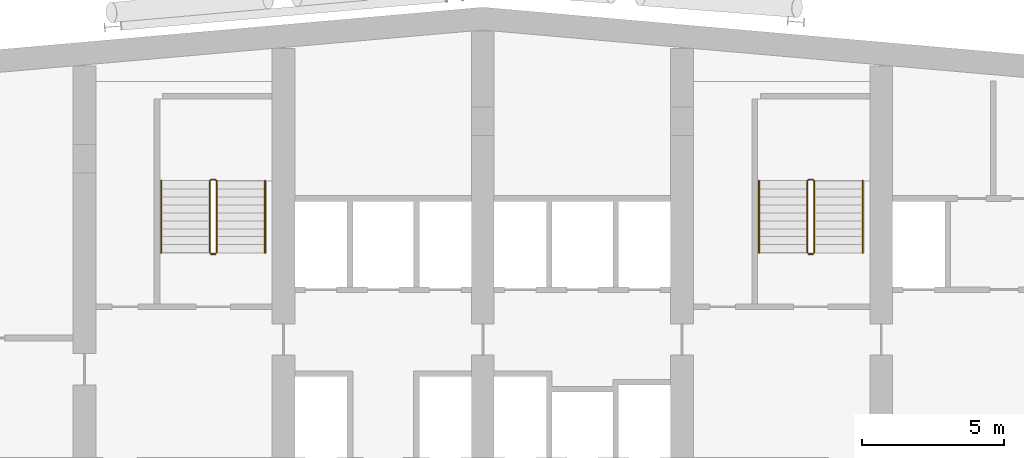
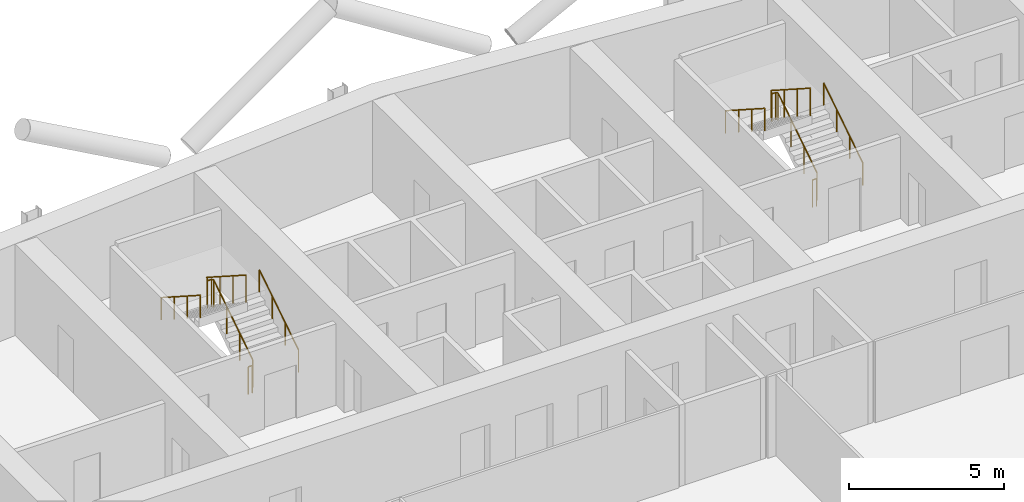
# One storey, part 26 of 26: 8 railings.
"""IFC4 building model written with IfcOpenShell, lengths in metres."""

from ifc_helpers import new_model, si_unit, direction, frame, origin, origin_2d, place, context, subcontext, project, spatial, circle, extrude, material, type_object, element, save


model = new_model("IFC4")

# Units and contexts
model_context = context("Model", 3, precision=1e-05, world=origin(), true_north=direction((0.0, 1.0)))
body_context = subcontext(model_context, "Body", "Model", "MODEL_VIEW")
ifc_project = project(units=[si_unit("LENGTHUNIT", "METRE"), si_unit("AREAUNIT", "SQUARE_METRE"), si_unit("VOLUMEUNIT", "CUBIC_METRE"), si_unit("PLANEANGLEUNIT", "RADIAN"), si_unit("MASSUNIT", "GRAM", prefix="KILO")], contexts=[model_context])

# Site, building, storey
site_placement = place(None, origin())
site = spatial("IfcSite", under=ifc_project, at=site_placement, CompositionType="ELEMENT")
building_placement = place(site_placement, origin())
building = spatial("IfcBuilding", under=site, at=building_placement, Name="Wharfspan Tower", CompositionType="ELEMENT")
storey_placement = place(building_placement, frame((0.0, 0.0, 180.699951)))
storey = spatial("IfcBuildingStorey", under=building, at=storey_placement, Name="L44", CompositionType="ELEMENT", Elevation=180.699951)

# Railings
ifc_material = material(Name="Steel S355J2", Category="steel")
railing_type_1 = type_object("IfcRailingType", Name="Stair guard 1100", PredefinedType="GUARDRAIL", material=ifc_material)
railing_1_placement = place(storey_placement, frame((27.649902, 42.0, 0.179932)))
element("IfcRailing", 1, at=railing_1_placement, inside=storey, type_object=railing_type_1, Name="L44 ST1 stair guard 1", PredefinedType="GUARDRAIL", context=body_context, shape_type="SweptSolid", body=[
    extrude(circle(Radius=0.023926, at=origin_2d()), frame((0.0, 0.0, 1.076172), z_axis=(0.0, 0.841163, 0.540782), x_axis=(-1.0, 0.0, 0.0)), (0.0, 0.0, 1.0), 2.99585),
    extrude(circle(Radius=0.023926, at=origin_2d()), frame((0.0, 2.52002, 2.696289), z_axis=(-0.705376, 0.708834, 0.0), x_axis=(-0.708834, -0.705376, 0.0)), (0.0, 0.0, 1.0), 0.070557),
    extrude(circle(Radius=0.023926, at=origin_2d()), frame((-0.049805, 2.570068, 2.696289), z_axis=(-1.0, 0.0, 0.0), x_axis=(0.0, -1.0, 0.0)), (0.0, 0.0, 1.0), 0.150146),
    extrude(circle(Radius=0.023926, at=origin_2d()), frame((-0.199951, 2.570068, 2.696289), z_axis=(-0.258848, -0.258848, 0.930589), x_axis=(0.707107, -0.707107, 0.0)), (0.0, 0.0, 1.0), 0.193359),
    extrude(circle(Radius=0.023926, at=origin_2d()), frame((-0.25, 2.52002, 2.875977), z_axis=(0.0, -0.841163, 0.540782), x_axis=(1.0, 0.0, 0.0)), (0.0, 0.0, 1.0), 2.99585),
    extrude(circle(Radius=0.020996, at=origin_2d()), origin(), (0.0, 0.0, 1.0), 1.052002),
    extrude(circle(Radius=0.020996, at=origin_2d()), frame((0.0, 0.840088, 0.540039)), (0.0, 0.0, 1.0), 1.052002),
    extrude(circle(Radius=0.020996, at=origin_2d()), frame((0.0, 1.679932, 1.080078)), (0.0, 0.0, 1.0), 1.052002),
    extrude(circle(Radius=0.020996, at=origin_2d()), frame((0.0, 2.52002, 1.620117)), (0.0, 0.0, 1.0), 1.052002),
    extrude(circle(Radius=0.020996, at=origin_2d()), frame((-0.049805, 2.570068, 1.620117)), (0.0, 0.0, 1.0), 1.052002),
    extrude(circle(Radius=0.020996, at=origin_2d()), frame((-0.199951, 2.570068, 1.620117)), (0.0, 0.0, 1.0), 1.052002),
    extrude(circle(Radius=0.020996, at=origin_2d()), frame((-0.25, 2.52002, 1.800049)), (0.0, 0.0, 1.0), 1.052002),
    extrude(circle(Radius=0.020996, at=origin_2d()), frame((-0.25, 1.679932, 2.340088)), (0.0, 0.0, 1.0), 1.052002),
    extrude(circle(Radius=0.020996, at=origin_2d()), frame((-0.25, 0.840088, 2.880127)), (0.0, 0.0, 1.0), 1.052002),
    extrude(circle(Radius=0.020996, at=origin_2d()), frame((-0.25, 0.0, 3.420166)), (0.0, 0.0, 1.0), 1.052002),
])
railing_2_placement = place(storey_placement, frame((27.600098, 41.949951, 0.0)))
element("IfcRailing", 2, at=railing_2_placement, inside=storey, type_object=railing_type_1, Name="L44 ST1 stair guard 2", PredefinedType="GUARDRAIL", context=body_context, shape_type="SweptSolid", body=[
    extrude(circle(Radius=0.023926, at=origin_2d()), frame((0.0, 0.0, 1.076172), z_axis=(-1.0, 0.0, 0.0), x_axis=(0.0, -1.0, 0.0)), (0.0, 0.0, 1.0), 0.150146),
    extrude(circle(Radius=0.020996, at=origin_2d()), origin(), (0.0, 0.0, 1.0), 1.052002),
    extrude(circle(Radius=0.020996, at=origin_2d()), frame((-0.150146, 0.0, 0.0)), (0.0, 0.0, 1.0), 1.052002),
])
railing_3_placement = place(storey_placement, frame((48.649902, 42.0, 0.179932)))
element("IfcRailing", 3, at=railing_3_placement, inside=storey, type_object=railing_type_1, Name="L44 ST2 stair guard 1", PredefinedType="GUARDRAIL", context=body_context, shape_type="SweptSolid", body=[
    extrude(circle(Radius=0.023926, at=origin_2d()), frame((0.0, 0.0, 1.076172), z_axis=(0.0, 0.841163, 0.540782), x_axis=(-1.0, 0.0, 0.0)), (0.0, 0.0, 1.0), 2.99585),
    extrude(circle(Radius=0.023926, at=origin_2d()), frame((0.0, 2.52002, 2.696289), z_axis=(-0.705376, 0.708834, 0.0), x_axis=(-0.708834, -0.705376, 0.0)), (0.0, 0.0, 1.0), 0.070557),
    extrude(circle(Radius=0.023926, at=origin_2d()), frame((-0.049805, 2.570068, 2.696289), z_axis=(-1.0, 0.0, 0.0), x_axis=(0.0, -1.0, 0.0)), (0.0, 0.0, 1.0), 0.150146),
    extrude(circle(Radius=0.023926, at=origin_2d()), frame((-0.199951, 2.570068, 2.696289), z_axis=(-0.258848, -0.258848, 0.930589), x_axis=(0.707107, -0.707107, 0.0)), (0.0, 0.0, 1.0), 0.193359),
    extrude(circle(Radius=0.023926, at=origin_2d()), frame((-0.25, 2.52002, 2.875977), z_axis=(0.0, -0.841163, 0.540782), x_axis=(1.0, 0.0, 0.0)), (0.0, 0.0, 1.0), 2.99585),
    extrude(circle(Radius=0.020996, at=origin_2d()), origin(), (0.0, 0.0, 1.0), 1.052002),
    extrude(circle(Radius=0.020996, at=origin_2d()), frame((0.0, 0.840088, 0.540039)), (0.0, 0.0, 1.0), 1.052002),
    extrude(circle(Radius=0.020996, at=origin_2d()), frame((0.0, 1.679932, 1.080078)), (0.0, 0.0, 1.0), 1.052002),
    extrude(circle(Radius=0.020996, at=origin_2d()), frame((0.0, 2.52002, 1.620117)), (0.0, 0.0, 1.0), 1.052002),
    extrude(circle(Radius=0.020996, at=origin_2d()), frame((-0.049805, 2.570068, 1.620117)), (0.0, 0.0, 1.0), 1.052002),
    extrude(circle(Radius=0.020996, at=origin_2d()), frame((-0.199951, 2.570068, 1.620117)), (0.0, 0.0, 1.0), 1.052002),
    extrude(circle(Radius=0.020996, at=origin_2d()), frame((-0.25, 2.52002, 1.800049)), (0.0, 0.0, 1.0), 1.052002),
    extrude(circle(Radius=0.020996, at=origin_2d()), frame((-0.25, 1.679932, 2.340088)), (0.0, 0.0, 1.0), 1.052002),
    extrude(circle(Radius=0.020996, at=origin_2d()), frame((-0.25, 0.840088, 2.880127)), (0.0, 0.0, 1.0), 1.052002),
    extrude(circle(Radius=0.020996, at=origin_2d()), frame((-0.25, 0.0, 3.420166)), (0.0, 0.0, 1.0), 1.052002),
])
railing_4_placement = place(storey_placement, frame((48.600098, 41.949951, 0.0)))
element("IfcRailing", 4, at=railing_4_placement, inside=storey, type_object=railing_type_1, Name="L44 ST2 stair guard 2", PredefinedType="GUARDRAIL", context=body_context, shape_type="SweptSolid", body=[
    extrude(circle(Radius=0.023926, at=origin_2d()), frame((0.0, 0.0, 1.076172), z_axis=(-1.0, 0.0, 0.0), x_axis=(0.0, -1.0, 0.0)), (0.0, 0.0, 1.0), 0.150146),
    extrude(circle(Radius=0.020996, at=origin_2d()), origin(), (0.0, 0.0, 1.0), 1.052002),
    extrude(circle(Radius=0.020996, at=origin_2d()), frame((-0.150146, 0.0, 0.0)), (0.0, 0.0, 1.0), 1.052002),
])
railing_type_2 = type_object("IfcRailingType", Name="Stair handrail 900", PredefinedType="HANDRAIL", material=ifc_material)
railing_5_placement = place(storey_placement, frame((29.350098, 42.0, 0.179932)))
element("IfcRailing", 5, at=railing_5_placement, inside=storey, type_object=railing_type_2, Name="L44 ST1 stair handrail 1", PredefinedType="HANDRAIL", context=body_context, shape_type="SweptSolid", body=[
    extrude(circle(Radius=0.023926, at=origin_2d()), frame((0.0, 0.0, 0.875977), z_axis=(0.0, 0.841163, 0.540782), x_axis=(-1.0, 0.0, 0.0)), (0.0, 0.0, 1.0), 2.99585),
    extrude(circle(Radius=0.020996, at=origin_2d()), origin(), (0.0, 0.0, 1.0), 0.851807),
    extrude(circle(Radius=0.020996, at=origin_2d()), frame((0.0, 0.840088, 0.540039)), (0.0, 0.0, 1.0), 0.851807),
    extrude(circle(Radius=0.020996, at=origin_2d()), frame((0.0, 1.679932, 1.080078)), (0.0, 0.0, 1.0), 0.851807),
    extrude(circle(Radius=0.020996, at=origin_2d()), frame((0.0, 2.52002, 1.620117)), (0.0, 0.0, 1.0), 0.851807),
])
railing_6_placement = place(storey_placement, frame((25.699951, 44.52002, 1.97998)))
element("IfcRailing", 6, at=railing_6_placement, inside=storey, type_object=railing_type_2, Name="L44 ST1 stair handrail 2", PredefinedType="HANDRAIL", context=body_context, shape_type="SweptSolid", body=[
    extrude(circle(Radius=0.023926, at=origin_2d()), frame((0.0, 0.0, 0.875977), z_axis=(0.0, -0.841163, 0.540782), x_axis=(1.0, 0.0, 0.0)), (0.0, 0.0, 1.0), 2.99585),
    extrude(circle(Radius=0.020996, at=origin_2d()), origin(), (0.0, 0.0, 1.0), 0.851807),
    extrude(circle(Radius=0.020996, at=origin_2d()), frame((0.0, -0.840088, 0.540039)), (0.0, 0.0, 1.0), 0.851807),
    extrude(circle(Radius=0.020996, at=origin_2d()), frame((0.0, -1.679932, 1.080078)), (0.0, 0.0, 1.0), 0.851807),
    extrude(circle(Radius=0.020996, at=origin_2d()), frame((0.0, -2.52002, 1.620117)), (0.0, 0.0, 1.0), 0.851807),
])
railing_7_placement = place(storey_placement, frame((50.350098, 42.0, 0.179932)))
element("IfcRailing", 7, at=railing_7_placement, inside=storey, type_object=railing_type_2, Name="L44 ST2 stair handrail 1", PredefinedType="HANDRAIL", context=body_context, shape_type="SweptSolid", body=[
    extrude(circle(Radius=0.023926, at=origin_2d()), frame((0.0, 0.0, 0.875977), z_axis=(0.0, 0.841163, 0.540782), x_axis=(-1.0, 0.0, 0.0)), (0.0, 0.0, 1.0), 2.99585),
    extrude(circle(Radius=0.020996, at=origin_2d()), origin(), (0.0, 0.0, 1.0), 0.851807),
    extrude(circle(Radius=0.020996, at=origin_2d()), frame((0.0, 0.840088, 0.540039)), (0.0, 0.0, 1.0), 0.851807),
    extrude(circle(Radius=0.020996, at=origin_2d()), frame((0.0, 1.679932, 1.080078)), (0.0, 0.0, 1.0), 0.851807),
    extrude(circle(Radius=0.020996, at=origin_2d()), frame((0.0, 2.52002, 1.620117)), (0.0, 0.0, 1.0), 0.851807),
])
railing_8_placement = place(storey_placement, frame((46.699951, 44.52002, 1.97998)))
element("IfcRailing", 8, at=railing_8_placement, inside=storey, type_object=railing_type_2, Name="L44 ST2 stair handrail 2", PredefinedType="HANDRAIL", context=body_context, shape_type="SweptSolid", body=[
    extrude(circle(Radius=0.023926, at=origin_2d()), frame((0.0, 0.0, 0.875977), z_axis=(0.0, -0.841163, 0.540782), x_axis=(1.0, 0.0, 0.0)), (0.0, 0.0, 1.0), 2.99585),
    extrude(circle(Radius=0.020996, at=origin_2d()), origin(), (0.0, 0.0, 1.0), 0.851807),
    extrude(circle(Radius=0.020996, at=origin_2d()), frame((0.0, -0.840088, 0.540039)), (0.0, 0.0, 1.0), 0.851807),
    extrude(circle(Radius=0.020996, at=origin_2d()), frame((0.0, -1.679932, 1.080078)), (0.0, 0.0, 1.0), 0.851807),
    extrude(circle(Radius=0.020996, at=origin_2d()), frame((0.0, -2.52002, 1.620117)), (0.0, 0.0, 1.0), 0.851807),
])

save(model, "model.ifc")
